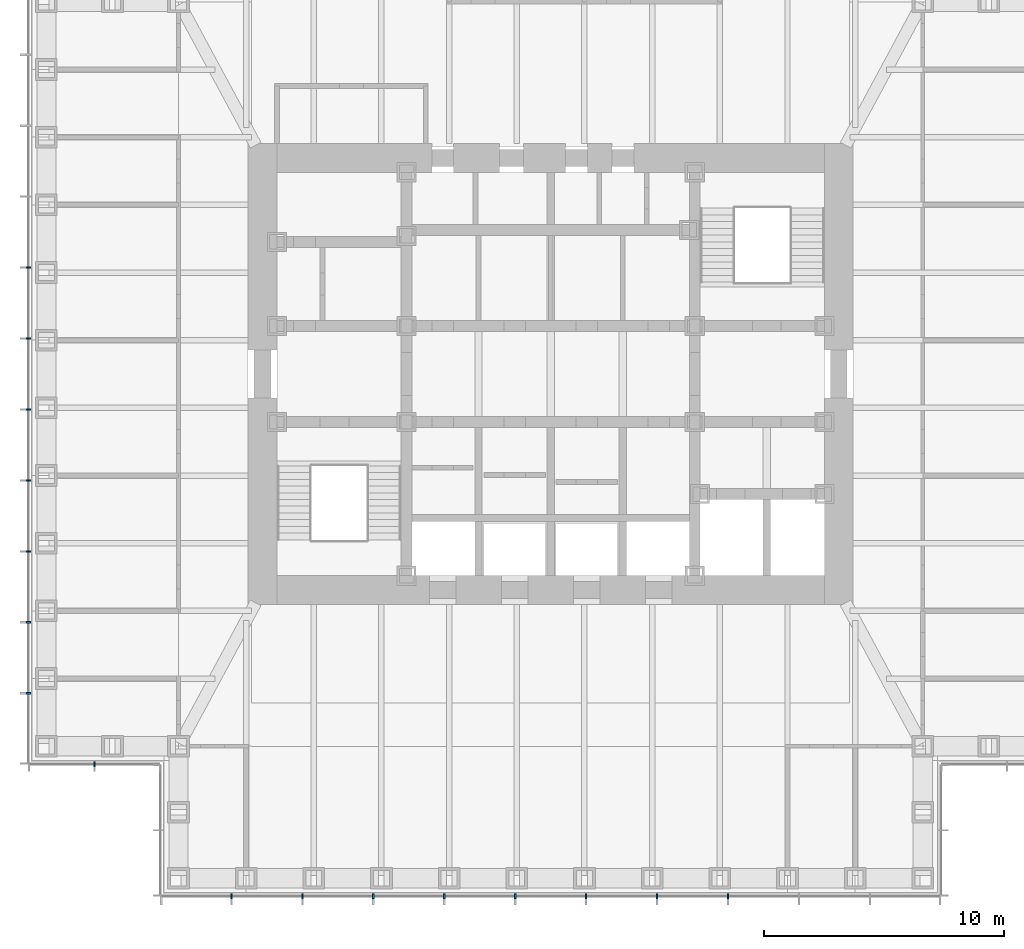
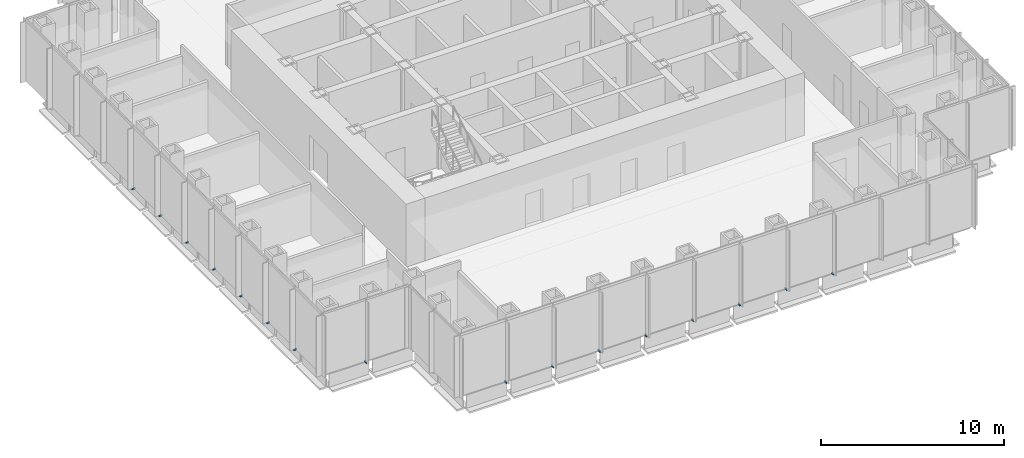
# One storey, part 12 of 17: 16 discrete accessories.
"""IFC4 building model written with IfcOpenShell, lengths in metres."""

from ifc_helpers import new_model, si_unit, direction, frame, origin, origin_2d, place, context, subcontext, project, spatial, rectangle, extrude, element, save


model = new_model("IFC4")

# Units and contexts
model_context = context("Model", 3, precision=1e-05, world=origin(), true_north=direction((0.0, 1.0)))
body_context = subcontext(model_context, "Body", "Model", "MODEL_VIEW")
ifc_project = project(units=[si_unit("LENGTHUNIT", "METRE"), si_unit("AREAUNIT", "SQUARE_METRE"), si_unit("VOLUMEUNIT", "CUBIC_METRE"), si_unit("PLANEANGLEUNIT", "RADIAN"), si_unit("MASSUNIT", "GRAM", prefix="KILO")], contexts=[model_context])

# Site, building, storey
site_placement = place(None, origin())
site = spatial("IfcSite", under=ifc_project, at=site_placement, CompositionType="ELEMENT")
building_placement = place(site_placement, origin())
building = spatial("IfcBuilding", under=site, at=building_placement, Name="Daluyong Arena Tower", CompositionType="ELEMENT")
storey_placement = place(building_placement, frame((0.0, 0.0, 193.89990234375)))
storey = spatial("IfcBuildingStorey", under=building, at=storey_placement, Name="L43", CompositionType="ELEMENT", Elevation=193.89990234375)

# Discrete accessories
for number, where, z_axis, x_axis, name in (
    (1, (42.70458984375, 58.25, -0.099853515625), (0.0, 0.0, 1.0), (1.0, 0.0, 0.0), "curtain wall L43 S anchor bracket 2"),
    (2, (45.6591796875, 58.25, -0.099853515625), (0.0, 0.0, 1.0), (1.0, 0.0, 0.0), "curtain wall L43 S anchor bracket 3"),
    (3, (48.613525390625, 58.25, -0.099853515625), (0.0, 0.0, 1.0), (1.0, 0.0, 0.0), "curtain wall L43 S anchor bracket 4"),
    (4, (51.568115234375, 58.25, -0.099853515625), (0.0, 0.0, 1.0), (1.0, 0.0, 0.0), "curtain wall L43 S anchor bracket 5"),
    (5, (54.522705078125, 58.25, -0.099853515625), (0.0, 0.0, 1.0), (1.0, 0.0, 0.0), "curtain wall L43 S anchor bracket 6"),
    (6, (57.477294921875, 58.25, -0.099853515625), (0.0, 0.0, 1.0), (1.0, 0.0, 0.0), "curtain wall L43 S anchor bracket 7"),
    (7, (60.431884765625, 58.25, -0.099853515625), (0.0, 0.0, 1.0), (1.0, 0.0, 0.0), "curtain wall L43 S anchor bracket 8"),
    (8, (63.386474609375, 58.25, -0.099853515625), (0.0, 0.0, 1.0), (1.0, 0.0, 0.0), "curtain wall L43 S anchor bracket 9"),
    (9, (34.25, 84.431884765625, -0.099853515625), (0.0, 0.0, 1.0), (0.0, -1.0, 0.0), "curtain wall L43 W anchor bracket 5"),
    (10, (34.25, 81.477294921875, -0.099853515625), (0.0, 0.0, 1.0), (0.0, -1.0, 0.0), "curtain wall L43 W anchor bracket 6"),
    (11, (34.25, 78.522705078125, -0.099853515625), (0.0, 0.0, 1.0), (0.0, -1.0, 0.0), "curtain wall L43 W anchor bracket 7"),
    (12, (34.25, 75.568115234375, -0.099853515625), (0.0, 0.0, 1.0), (0.0, -1.0, 0.0), "curtain wall L43 W anchor bracket 8"),
    (13, (34.25, 72.613525390625, -0.099853515625), (0.0, 0.0, 1.0), (0.0, -1.0, 0.0), "curtain wall L43 W anchor bracket 9"),
    (14, (34.25, 69.6591796875, -0.099853515625), (0.0, 0.0, 1.0), (0.0, -1.0, 0.0), "curtain wall L43 W anchor bracket 10"),
    (15, (34.25, 66.70458984375, -0.099853515625), (0.0, 0.0, 1.0), (0.0, -1.0, 0.0), "curtain wall L43 W anchor bracket 11"),
):
    element("IfcDiscreteAccessory", number, at=place(storey_placement, frame(where, z_axis=z_axis, x_axis=x_axis)), inside=storey, Name=name, PredefinedType="BRACKET", context=body_context, shape_type="SweptSolid", body=[
        extrude(rectangle(XDim=0.070068359375, YDim=0.199951171875, at=origin_2d()), origin(), (0.0, 0.0, 1.0), 0.10009765625),
    ])
discrete_accessory_placement = place(storey_placement, frame((37.0, 63.75, -0.099853515625), z_axis=(0.0, 0.0, 1.0), x_axis=(1.0, 0.0, 0.0)))
element("IfcDiscreteAccessory", 16, at=discrete_accessory_placement, inside=storey, Name="curtain wall L43 SW-S anchor bracket 2", PredefinedType="BRACKET", context=body_context, shape_type="SweptSolid", body=[
    extrude(rectangle(XDim=0.06005859375, YDim=0.199951171875, at=origin_2d()), origin(), (0.0, 0.0, 1.0), 0.10009765625),
])

save(model, "model.ifc")
